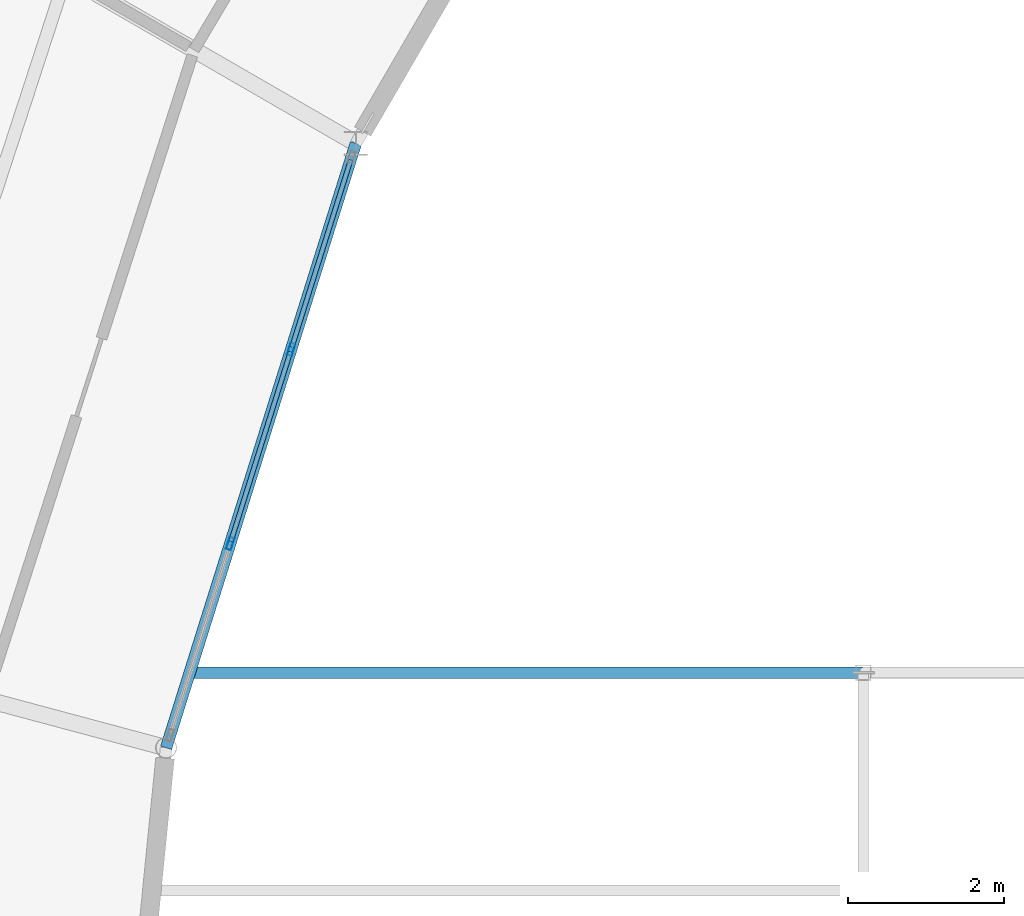
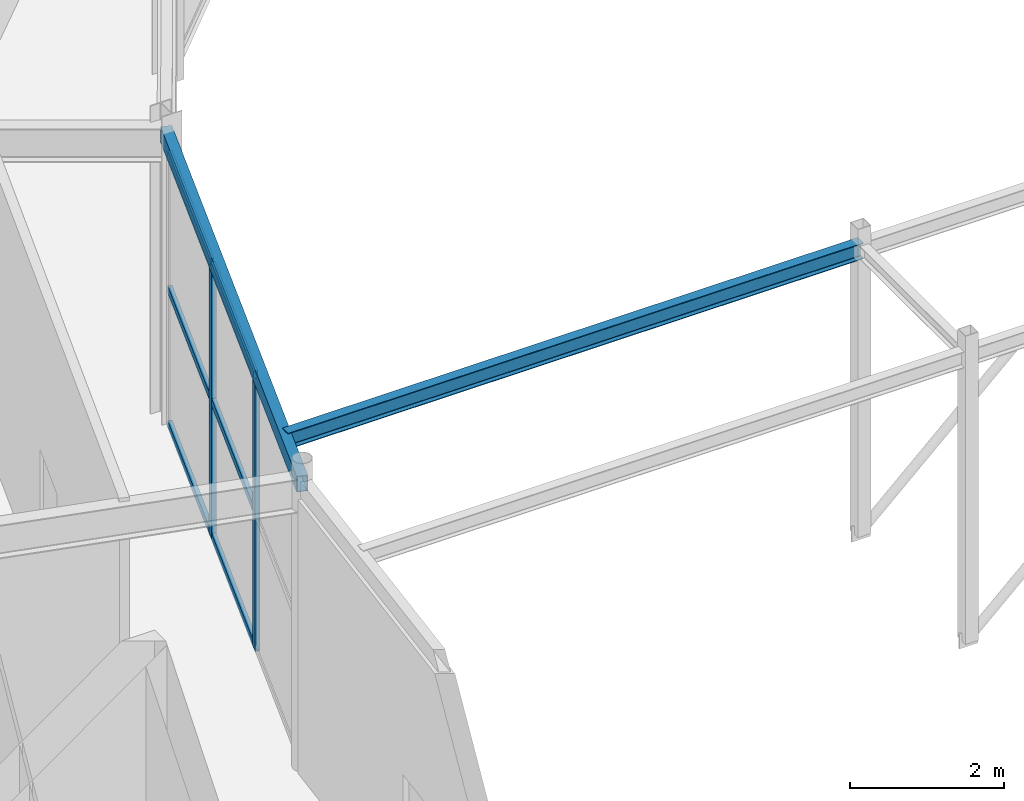
# One storey, part 48 of 144: 8 members, 2 beams, 1 element without a shape of its own.
"""IFC4 building model written with IfcOpenShell, lengths in metres."""

from ifc_helpers import new_model, si_unit, direction, frame, origin, origin_2d, place, context, subcontext, project, spatial, hollow_rectangle, i_section, extrude, material, material_profile, profile_set, type_object, element, aggregate, save


model = new_model("IFC4")

# Units and contexts
model_context = context("Model", 3, precision=1e-05, world=origin(), true_north=direction((0.0, 1.0)))
body_context = subcontext(model_context, "Body", "Model", "MODEL_VIEW")
ifc_project = project(units=[si_unit("LENGTHUNIT", "METRE"), si_unit("AREAUNIT", "SQUARE_METRE"), si_unit("VOLUMEUNIT", "CUBIC_METRE"), si_unit("PLANEANGLEUNIT", "RADIAN"), si_unit("MASSUNIT", "GRAM", prefix="KILO")], contexts=[model_context])

# Site, building, storey
site_placement = place(None, origin())
site = spatial("IfcSite", under=ifc_project, at=site_placement, CompositionType="ELEMENT")
building_placement = place(site_placement, origin())
building = spatial("IfcBuilding", under=site, at=building_placement, Name="Karori Crest Natural Sciences Institute", CompositionType="ELEMENT")
storey_placement = place(building_placement, origin())
storey = spatial("IfcBuildingStorey", under=building, at=storey_placement, Name="L00", CompositionType="ELEMENT", Elevation=0.0)

# Beams
ifc_material_1 = material(Name="Structural steel AS/NZS 3679.1 Grade 350", Category="steel")
ifc_material_profile_1 = material_profile(ifc_material_1, i_section(OverallWidth=0.14599609375, OverallDepth=0.256103515625, WebThickness=0.00634765625, FlangeThickness=0.010986328125, FilletRadius=0.009033203125, at=origin_2d()), Name="250UB37.3")
ifc_profile_set_1 = profile_set([ifc_material_profile_1], Name="Structural steel AS/NZS 3679.1 Grade 350")
beam_type_1 = type_object("IfcBeamType", Name="BT-11", PredefinedType="BEAM", material=ifc_profile_set_1)
beam_1_placement = place(storey_placement, frame((43.134521484375, 59.199951171875, 4.511962890625), z_axis=(1.0, 0.0, 0.0), x_axis=(0.0, 1.0, 0.0)))
element("IfcBeam", 1, at=beam_1_placement, inside=storey, type_object=beam_type_1, Name="Beam B-2915", PredefinedType="BEAM", context=body_context, shape_type="SweptSolid", body=[
    extrude(i_section(OverallWidth=0.14599609375, OverallDepth=0.256103515625, WebThickness=0.00634765625, FlangeThickness=0.010986328125, FilletRadius=0.009033203125, at=origin_2d()), origin(), (0.0, 0.0, 1.0), 8.655517578125),
])
ifc_material_2 = material(Name="Hollow structural steel AS/NZS 1163 Grade C350", Category="steel")
ifc_material_profile_2 = material_profile(ifc_material_2, hollow_rectangle(XDim=0.14990234375, YDim=0.25, WallThickness=0.009033203125, at=origin_2d()), Name="RHS250x150x9")
ifc_profile_set_2 = profile_set([ifc_material_profile_2], Name="Hollow structural steel AS/NZS 1163 Grade C350")
beam_type_2 = type_object("IfcBeamType", Name="BT-16", PredefinedType="SPANDREL", material=ifc_profile_set_2)
beam_2_placement = place(storey_placement, frame((45.26904296875, 66.0, 4.489990234375), z_axis=(-0.299487310016, -0.954100283586, 0.0), x_axis=(0.954100283586, -0.299487310016, 0.0)))
element("IfcBeam", 2, at=beam_2_placement, inside=storey, type_object=beam_type_2, Name="Beam B-0130", PredefinedType="SPANDREL", context=body_context, shape_type="SweptSolid", body=[
    extrude(hollow_rectangle(XDim=0.14990234375, YDim=0.25, WallThickness=0.009033203125, at=origin_2d()), origin(), (0.0, 0.0, 1.0), 8.1396484375),
])

# Curtain wall, members
ifc_material_3 = material(Name="Anodised architectural aluminium 6063-T6", Category="aluminium")
curtain_wall_type = type_object("IfcCurtainWallType", Name="CWT-11", PredefinedType="NOTDEFINED", material=ifc_material_3)
curtain_wall_placement = place(storey_placement, origin())
curtain_wall = element("IfcCurtainWall", 3, at=curtain_wall_placement, inside=storey, type_object=curtain_wall_type, Name="Curtain wall CW-0014", PredefinedType="NOTDEFINED")
ifc_material_profile_3 = material_profile(ifc_material_3, hollow_rectangle(XDim=0.06494140625, YDim=0.159912109375, WallThickness=0.00390625, at=origin_2d()), Name="CWM160x65x4")
ifc_profile_set_3 = profile_set([ifc_material_profile_3], Name="Anodised architectural aluminium 6063-T6")
member_type_1 = type_object("IfcMemberType", Name="CWM-01", PredefinedType="MULLION", material=ifc_profile_set_3)
member_1_placement = place(storey_placement, frame((44.43798828125, 63.352783203125, 0.0), z_axis=(0.0, 0.0, 1.0), x_axis=(0.954103649609, -0.2994765864, 0.0)))
member_1 = element("IfcMember", 4, at=member_1_placement, type_object=member_type_1, Name="CW-0014 mullion 2", PredefinedType="MULLION", context=body_context, shape_type="SweptSolid", body=[
    extrude(hollow_rectangle(XDim=0.06494140625, YDim=0.159912109375, WallThickness=0.00390625, at=origin_2d()), origin(), (0.0, 0.0, 1.0), 4.35009765625),
])
member_2_placement = place(storey_placement, frame((43.65478515625, 60.857421875, 0.0), z_axis=(0.0, 0.0, 1.0), x_axis=(0.954103649609, -0.2994765864, 0.0)))
member_2 = element("IfcMember", 5, at=member_2_placement, type_object=member_type_1, Name="CW-0014 mullion 3", PredefinedType="MULLION", context=body_context, shape_type="SweptSolid", body=[
    extrude(hollow_rectangle(XDim=0.06494140625, YDim=0.159912109375, WallThickness=0.00390625, at=origin_2d()), origin(), (0.0, 0.0, 1.0), 4.35009765625),
])
ifc_material_profile_4 = material_profile(ifc_material_3, hollow_rectangle(XDim=0.06005859375, YDim=0.1201171875, WallThickness=0.00390625, at=origin_2d()), Name="CWT120x60x4")
ifc_profile_set_4 = profile_set([ifc_material_profile_4], Name="Anodised architectural aluminium 6063-T6")
member_type_2 = type_object("IfcMemberType", Name="CWT-TR1", PredefinedType="USERDEFINED", material=ifc_profile_set_4)
member_3_placement = place(storey_placement, frame((45.201904296875, 65.785888671875, 0.030029296875), z_axis=(-0.299539132348, -0.954084015269, 0.0), x_axis=(0.954084015269, -0.299539132348, 0.0)))
member_3 = element("IfcMember", 6, at=member_3_placement, type_object=member_type_2, Name="CW-0014 transom 1.1", ObjectType="TRANSOM", PredefinedType="USERDEFINED", context=body_context, shape_type="SweptSolid", body=[
    extrude(hollow_rectangle(XDim=0.06005859375, YDim=0.1201171875, WallThickness=0.00390625, at=origin_2d()), origin(), (0.0, 0.0, 1.0), 2.517822265625),
])
member_4_placement = place(storey_placement, frame((45.201904296875, 65.785888671875, 2.175048828125), z_axis=(-0.299539132348, -0.954084015269, 0.0), x_axis=(0.954084015269, -0.299539132348, 0.0)))
member_4 = element("IfcMember", 7, at=member_4_placement, type_object=member_type_2, Name="CW-0014 transom 1.2", ObjectType="TRANSOM", PredefinedType="USERDEFINED", context=body_context, shape_type="SweptSolid", body=[
    extrude(hollow_rectangle(XDim=0.06005859375, YDim=0.1201171875, WallThickness=0.00390625, at=origin_2d()), origin(), (0.0, 0.0, 1.0), 2.517822265625),
])
member_5_placement = place(storey_placement, frame((45.201904296875, 65.785888671875, 4.320068359375), z_axis=(-0.299539132348, -0.954084015269, 0.0), x_axis=(0.954084015269, -0.299539132348, 0.0)))
member_5 = element("IfcMember", 8, at=member_5_placement, type_object=member_type_2, Name="CW-0014 transom 1.3", ObjectType="TRANSOM", PredefinedType="USERDEFINED", context=body_context, shape_type="SweptSolid", body=[
    extrude(hollow_rectangle(XDim=0.06005859375, YDim=0.1201171875, WallThickness=0.00390625, at=origin_2d()), origin(), (0.0, 0.0, 1.0), 2.517822265625),
])
member_6_placement = place(storey_placement, frame((44.428466796875, 63.32177734375, 0.030029296875), z_axis=(-0.29952290777, -0.9540891089, 0.0), x_axis=(0.9540891089, -0.29952290777, 0.0)))
member_6 = element("IfcMember", 9, at=member_6_placement, type_object=member_type_2, Name="CW-0014 transom 2.1", ObjectType="TRANSOM", PredefinedType="USERDEFINED", context=body_context, shape_type="SweptSolid", body=[
    extrude(hollow_rectangle(XDim=0.06005859375, YDim=0.1201171875, WallThickness=0.00390625, at=origin_2d()), origin(), (0.0, 0.0, 1.0), 2.550537109375),
])
member_7_placement = place(storey_placement, frame((44.428466796875, 63.32177734375, 2.175048828125), z_axis=(-0.29952290777, -0.9540891089, 0.0), x_axis=(0.9540891089, -0.29952290777, 0.0)))
member_7 = element("IfcMember", 10, at=member_7_placement, type_object=member_type_2, Name="CW-0014 transom 2.2", ObjectType="TRANSOM", PredefinedType="USERDEFINED", context=body_context, shape_type="SweptSolid", body=[
    extrude(hollow_rectangle(XDim=0.06005859375, YDim=0.1201171875, WallThickness=0.00390625, at=origin_2d()), origin(), (0.0, 0.0, 1.0), 2.550537109375),
])
member_8_placement = place(storey_placement, frame((44.428466796875, 63.32177734375, 4.320068359375), z_axis=(-0.29952290777, -0.9540891089, 0.0), x_axis=(0.9540891089, -0.29952290777, 0.0)))
member_8 = element("IfcMember", 11, at=member_8_placement, type_object=member_type_2, Name="CW-0014 transom 2.3", ObjectType="TRANSOM", PredefinedType="USERDEFINED", context=body_context, shape_type="SweptSolid", body=[
    extrude(hollow_rectangle(XDim=0.06005859375, YDim=0.1201171875, WallThickness=0.00390625, at=origin_2d()), origin(), (0.0, 0.0, 1.0), 2.550537109375),
])
aggregate(curtain_wall, [member_1, member_2, member_3, member_4, member_5, member_6, member_7, member_8])

save(model, "model.ifc")
